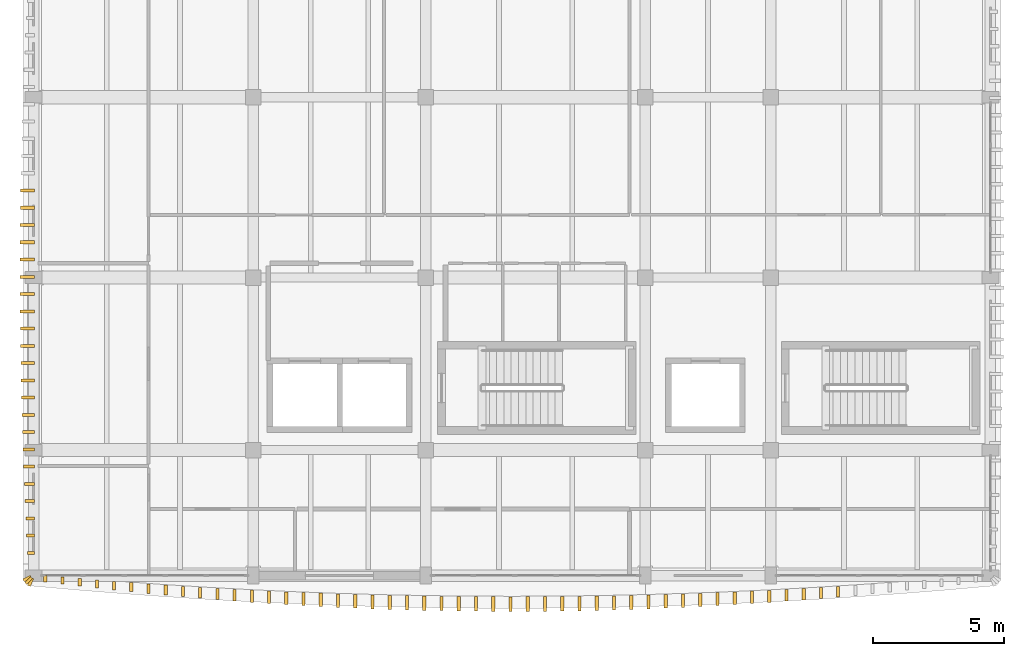
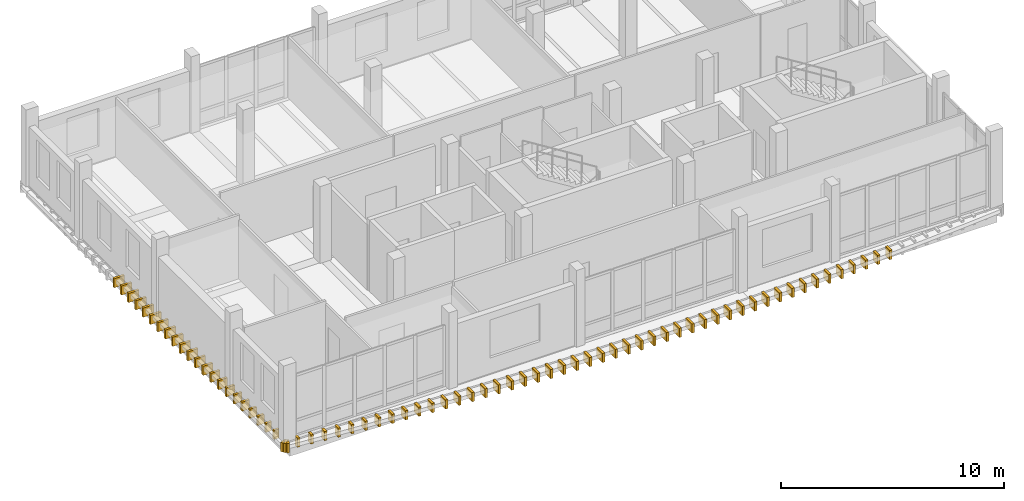
# One storey, part 14 of 16: 72 coverings.
"""IFC4 building model written with IfcOpenShell, lengths in metres."""

import ifcopenshell
import ifcopenshell.guid

model = None  # the IFC model being written
_history = None  # IfcOwnerHistory: only IFC2X3 demands one
_inside = {}  # id of a spatial element -> (the spatial element, [elements in it])
_under = {}  # id of a project, library or spatial element -> (it, [spatial elements below it])
_declared = {}  # id of a project -> (the project, [libraries it declares])
_typed = {}  # id of a type object -> (the type object, [elements of that type])
_made_of = {}  # id of a material, layer set ... -> (it, [elements and type objects made of it])


def new_model(schema):
    """Start an empty IFC model of exactly this schema.

    Asked for "IFC4X3", IfcOpenShell would pick the latest addendum, in which some entities
    have other attributes; the version numbers below select the first issue.
    IFC2X3 requires an IfcOwnerHistory on every rooted entity: one is made here for all.
    """
    global model, _history
    if schema == "IFC4X3":
        model = ifcopenshell.file(schema_version=(4, 3, 0, 0))
    else:
        model = ifcopenshell.file(schema=schema)
    _inside.clear()
    _under.clear()
    _declared.clear()
    _typed.clear()
    _made_of.clear()
    _history = None
    if model.schema == "IFC2X3":
        org = make("IfcOrganization", Name="unknown")
        user = make(
            "IfcPersonAndOrganization",
            ThePerson=make("IfcPerson", FamilyName="unknown"),
            TheOrganization=org,
        )
        app = make(
            "IfcApplication",
            ApplicationDeveloper=org,
            Version="unknown",
            ApplicationFullName="unknown",
            ApplicationIdentifier="unknown",
        )
        _history = make(
            "IfcOwnerHistory",
            OwningUser=user,
            OwningApplication=app,
            ChangeAction="ADDED",
            CreationDate=0,
        )
    return model


def make(cls, **values):
    """One entity of the class cls with the attributes given. An attribute that is None is left unset."""
    return model.create_entity(
        cls, **{name: value for name, value in values.items() if value is not None}
    )


def rooted(cls, **values):
    """An entity with a GlobalId (a new one), such as an element, a storey or a relation."""
    return make(cls, GlobalId=ifcopenshell.guid.new(), OwnerHistory=_history, **values)


def si_unit(unit_type, name, prefix=None):
    """IfcSIUnit, for example si_unit("LENGTHUNIT", "METRE", prefix="MILLI")."""
    return make("IfcSIUnit", UnitType=unit_type, Prefix=prefix, Name=name)


def assignment(units):
    """IfcUnitAssignment: the units of a project."""
    return None if units is None else make("IfcUnitAssignment", Units=units)


def point(xyz):
    """IfcCartesianPoint."""
    return None if xyz is None else make("IfcCartesianPoint", Coordinates=xyz)


def direction(xyz):
    """IfcDirection."""
    return None if xyz is None else make("IfcDirection", DirectionRatios=xyz)


def frame(location, z_axis=None, x_axis=None):
    """IfcAxis2Placement3D, a coordinate frame: its origin and axes. An axis left out is left unset."""
    return make(
        "IfcAxis2Placement3D",
        Location=point(location),
        Axis=direction(z_axis),
        RefDirection=direction(x_axis),
    )


def frame_2d(location, x_axis=None):
    """IfcAxis2Placement2D, a coordinate frame in the plane: its origin and x axis."""
    return make(
        "IfcAxis2Placement2D", Location=point(location), RefDirection=direction(x_axis)
    )


def origin():
    """The frame at (0, 0, 0) with its axes left unset."""
    return frame((0.0, 0.0, 0.0))


def origin_2d():
    """The frame at (0, 0) in the plane with its x axis left unset."""
    return frame_2d((0.0, 0.0))


def place(relative_to, where):
    """IfcLocalPlacement: puts the frame where relative to a parent placement (None: the world)."""
    return make(
        "IfcLocalPlacement", PlacementRelTo=relative_to, RelativePlacement=where
    )


def context(
    kind, dimensions, precision=None, world=None, true_north=None, identifier=None
):
    """IfcGeometricRepresentationContext, for example the 3D "Model" context."""
    return make(
        "IfcGeometricRepresentationContext",
        ContextIdentifier=identifier,
        ContextType=kind,
        CoordinateSpaceDimension=dimensions,
        Precision=precision,
        WorldCoordinateSystem=world,
        TrueNorth=true_north,
    )


def subcontext(parent, identifier, kind, view, scale=None):
    """IfcGeometricRepresentationSubContext, for example "Body" below "Model"."""
    return make(
        "IfcGeometricRepresentationSubContext",
        ContextIdentifier=identifier,
        ContextType=kind,
        ParentContext=parent,
        TargetScale=scale,
        TargetView=view,
    )


def project(units=None, contexts=None):
    """IfcProject with its units and contexts."""
    return rooted(
        "IfcProject",
        Name="project",
        RepresentationContexts=contexts,
        UnitsInContext=assignment(units),
    )


def spatial(cls, under=None, at=None, **own):
    """A site, building, storey or space (cls), placed at a placement, below another one or the project."""
    s = rooted(cls, ObjectPlacement=at, **own)
    if under is not None:
        _under.setdefault(under.id(), (under, []))[1].append(s)
    return s


def profile(cls, at=None, kind="AREA", **sizes):
    """A parametric profile (cls). Its sizes go by their IFC names, for example OverallWidth=200.0."""
    return make(cls, ProfileType=kind, Position=at, **sizes)


def rectangle(**sizes):
    """IfcRectangleProfileDef."""
    return profile("IfcRectangleProfileDef", **sizes)


def extrude(swept, where, along, depth):
    """IfcExtrudedAreaSolid: the profile swept, set in the frame where, extruded along a direction by depth."""
    return make(
        "IfcExtrudedAreaSolid",
        SweptArea=swept,
        Position=where,
        ExtrudedDirection=direction(along),
        Depth=depth,
    )


def shape(context_of_items, identifier, shape_type, items):
    """IfcShapeRepresentation: the items that make up one representation, for example the "Body"."""
    return make(
        "IfcShapeRepresentation",
        ContextOfItems=context_of_items,
        RepresentationIdentifier=identifier,
        RepresentationType=shape_type,
        Items=items,
    )


def material(Name=None, Category=None):
    """IfcMaterial."""
    return make("IfcMaterial", Name=Name, Category=Category)


def layer(
    of_material, thickness, ventilated=None, Name=None, Category=None, Priority=None
):
    """IfcMaterialLayer: one layer of a wall or slab, of a material (None: an air gap)."""
    return make(
        "IfcMaterialLayer",
        Material=of_material,
        LayerThickness=thickness,
        IsVentilated=ventilated,
        Name=Name,
        Category=Category,
        Priority=Priority,
    )


def layer_set(layers, Name=None):
    """IfcMaterialLayerSet."""
    return make("IfcMaterialLayerSet", MaterialLayers=layers, LayerSetName=Name)


def made_of(thing, what):
    """Note that an element or type object is made of a material, layer set ...; save() writes the relation."""
    if what is not None:
        _made_of.setdefault(what.id(), (what, []))[1].append(thing)
    return thing


def type_object(cls, material=None, **own):
    """A type object (cls), such as IfcWallType, which elements share."""
    return made_of(rooted(cls, **own), material)


def element(
    cls,
    number,
    at=None,
    inside=None,
    cuts=None,
    type_object=None,
    material=None,
    context=None,
    identifier="Body",
    shape_type=None,
    held_by="IfcProductDefinitionShape",
    body=None,
    shapes=None,
    **own,
):
    """One element of the class cls, such as IfcWall. Its Tag is "e" and its number.

    at: its placement. inside: the storey or other place that contains it. cuts: it is an
    opening in that element (IfcRelVoidsElement). A single representation is given by context,
    identifier, shape_type and body (its items); several are given by shapes. held_by: the class
    of the entity that holds the representations. save() writes the other relations.
    """
    e = rooted(cls, Tag="e%d" % number, ObjectPlacement=at, **own)
    if body is not None:
        shapes = [shape(context, identifier, shape_type, body)]
    if shapes is not None:
        e.Representation = make(held_by, Representations=shapes)
    if inside is not None:
        _inside.setdefault(inside.id(), (inside, []))[1].append(e)
    if cuts is not None:
        rooted(
            "IfcRelVoidsElement", RelatingBuildingElement=cuts, RelatedOpeningElement=e
        )
    if type_object is not None:
        _typed.setdefault(type_object.id(), (type_object, []))[1].append(e)
    return made_of(e, material)


def aggregate(whole, parts):
    """IfcRelAggregates: a whole, such as a stair, and the parts it consists of."""
    return rooted("IfcRelAggregates", RelatingObject=whole, RelatedObjects=parts)


def save(model, path):
    """Write the relations noted so far, then the file.

    IfcRelAggregates (storeys below a building ...), IfcRelContainedInSpatialStructure (elements
    in a storey), IfcRelDefinesByType, IfcRelAssociatesMaterial and IfcRelDeclares: one each for
    every whole, place, type object, material and project.
    """
    for whole, parts in _under.values():
        aggregate(whole, parts)
    for where, things in _inside.values():
        rooted(
            "IfcRelContainedInSpatialStructure",
            RelatedElements=things,
            RelatingStructure=where,
        )
    for kind, things in _typed.values():
        rooted("IfcRelDefinesByType", RelatedObjects=things, RelatingType=kind)
    for what, things in _made_of.values():
        rooted("IfcRelAssociatesMaterial", RelatedObjects=things, RelatingMaterial=what)
    for by, libraries in _declared.values():
        rooted("IfcRelDeclares", RelatingContext=by, RelatedDefinitions=libraries)
    model.write(path)


model = new_model("IFC4")

# Units and contexts
model_context = context("Model", 3, precision=1e-05, world=origin(), true_north=direction((0.0, 1.0)))
body_context = subcontext(model_context, "Body", "Model", "MODEL_VIEW")
ifc_project = project(units=[si_unit("LENGTHUNIT", "METRE"), si_unit("AREAUNIT", "SQUARE_METRE"), si_unit("VOLUMEUNIT", "CUBIC_METRE"), si_unit("PLANEANGLEUNIT", "RADIAN"), si_unit("MASSUNIT", "GRAM", prefix="KILO")], contexts=[model_context])

# Site, building, storey
site_placement = place(None, origin())
site = spatial("IfcSite", under=ifc_project, at=site_placement, CompositionType="ELEMENT")
building_placement = place(site_placement, origin())
building = spatial("IfcBuilding", under=site, at=building_placement, Name="Dornvale Research Institute", CompositionType="ELEMENT")
storey_placement = place(building_placement, frame((0.0, 0.0, 38.39990234375)))
storey = spatial("IfcBuildingStorey", under=building, at=storey_placement, Name="L08", CompositionType="ELEMENT", Elevation=38.39990234375)

# Coverings
ifc_material = material(Name="Polychrome Glazed Terracotta Visor Rib Ceramic", Category="masonry")
ifc_layer = layer(ifc_material, 0.1201171875)
ifc_layer_set = layer_set([ifc_layer], Name="Polychrome Glazed Terracotta Visor Rib Ceramic")
covering_type = type_object("IfcCoveringType", Name="Covering_VisorBlade_Main", PredefinedType="CLADDING", material=ifc_layer_set)
covering_1_placement = place(storey_placement, frame((5.248291015625, 98.88232421875, -0.489990234375), z_axis=(0.0, 0.0, 1.0), x_axis=(0.0, 1.0, 0.0)))
element("IfcCovering", 1, at=covering_1_placement, inside=storey, type_object=covering_type, Name="L08 V5 canted glazed terracotta visor blade #1345", PredefinedType="CLADDING", context=body_context, shape_type="SweptSolid", body=[
    extrude(rectangle(XDim=0.236083984375, YDim=0.1201171875, at=origin_2d()), origin(), (0.0, 0.0, 1.0), 0.5),
])
covering_2_placement = place(storey_placement, frame((5.90576171875, 98.81201171875, -0.489990234375), z_axis=(0.0, 0.0, 1.0), x_axis=(0.0, 1.0, 0.0)))
element("IfcCovering", 2, at=covering_2_placement, inside=storey, type_object=covering_type, Name="L08 V5 canted glazed terracotta visor blade #1346", PredefinedType="CLADDING", context=body_context, shape_type="SweptSolid", body=[
    extrude(rectangle(XDim=0.260009765625, YDim=0.1201171875, at=origin_2d()), origin(), (0.0, 0.0, 1.0), 0.5),
])
covering_3_placement = place(storey_placement, frame((6.563232421875, 98.742919921875, -0.489990234375), z_axis=(0.0, 0.0, 1.0), x_axis=(0.0, 1.0, 0.0)))
element("IfcCovering", 3, at=covering_3_placement, inside=storey, type_object=covering_type, Name="L08 V5 canted glazed terracotta visor blade #1347", PredefinedType="CLADDING", context=body_context, shape_type="SweptSolid", body=[
    extrude(rectangle(XDim=0.282958984375, YDim=0.1201171875, at=origin_2d()), origin(), (0.0, 0.0, 1.0), 0.5),
])
covering_4_placement = place(storey_placement, frame((7.220947265625, 98.6796875, -0.489990234375), z_axis=(0.0, 0.0, 1.0), x_axis=(0.0, 1.0, 0.0)))
element("IfcCovering", 4, at=covering_4_placement, inside=storey, type_object=covering_type, Name="L08 V5 canted glazed terracotta visor blade #1348", PredefinedType="CLADDING", context=body_context, shape_type="SweptSolid", body=[
    extrude(rectangle(XDim=0.303955078125, YDim=0.1201171875, at=origin_2d()), origin(), (0.0, 0.0, 1.0), 0.5),
])
covering_5_placement = place(storey_placement, frame((7.87890625, 98.616455078125, -0.489990234375), z_axis=(0.0, 0.0, 1.0), x_axis=(0.0, 1.0, 0.0)))
element("IfcCovering", 5, at=covering_5_placement, inside=storey, type_object=covering_type, Name="L08 V5 canted glazed terracotta visor blade #1349", PredefinedType="CLADDING", context=body_context, shape_type="SweptSolid", body=[
    extrude(rectangle(XDim=0.324951171875, YDim=0.1201171875, at=origin_2d()), origin(), (0.0, 0.0, 1.0), 0.5),
])
covering_6_placement = place(storey_placement, frame((8.537109375, 98.55712890625, -0.489990234375), z_axis=(0.0, 0.0, 1.0), x_axis=(0.0, 1.0, 0.0)))
element("IfcCovering", 6, at=covering_6_placement, inside=storey, type_object=covering_type, Name="L08 V5 canted glazed terracotta visor blade #1350", PredefinedType="CLADDING", context=body_context, shape_type="SweptSolid", body=[
    extrude(rectangle(XDim=0.344970703125, YDim=0.1201171875, at=origin_2d()), origin(), (0.0, 0.0, 1.0), 0.5),
])
covering_7_placement = place(storey_placement, frame((9.1953125, 98.500244140625, -0.489990234375), z_axis=(0.0, 0.0, 1.0), x_axis=(0.0, 1.0, 0.0)))
element("IfcCovering", 7, at=covering_7_placement, inside=storey, type_object=covering_type, Name="L08 V5 canted glazed terracotta visor blade #1351", PredefinedType="CLADDING", context=body_context, shape_type="SweptSolid", body=[
    extrude(rectangle(XDim=0.364013671875, YDim=0.1201171875, at=origin_2d()), origin(), (0.0, 0.0, 1.0), 0.5),
])
covering_8_placement = place(storey_placement, frame((9.853759765625, 98.444580078125, -0.489990234375), z_axis=(0.0, 0.0, 1.0), x_axis=(0.0, 1.0, 0.0)))
element("IfcCovering", 8, at=covering_8_placement, inside=storey, type_object=covering_type, Name="L08 V5 canted glazed terracotta visor blade #1352", PredefinedType="CLADDING", context=body_context, shape_type="SweptSolid", body=[
    extrude(rectangle(XDim=0.382080078125, YDim=0.1201171875, at=origin_2d()), origin(), (0.0, 0.0, 1.0), 0.5),
])
covering_9_placement = place(storey_placement, frame((10.512451171875, 98.394287109375, -0.489990234375), z_axis=(0.0, 0.0, 1.0), x_axis=(0.0, 1.0, 0.0)))
element("IfcCovering", 9, at=covering_9_placement, inside=storey, type_object=covering_type, Name="L08 V5 canted glazed terracotta visor blade #1353", PredefinedType="CLADDING", context=body_context, shape_type="SweptSolid", body=[
    extrude(rectangle(XDim=0.39892578125, YDim=0.1201171875, at=origin_2d()), origin(), (0.0, 0.0, 1.0), 0.5),
])
covering_10_placement = place(storey_placement, frame((11.171142578125, 98.34423828125, -0.489990234375), z_axis=(0.0, 0.0, 1.0), x_axis=(0.0, 1.0, 0.0)))
element("IfcCovering", 10, at=covering_10_placement, inside=storey, type_object=covering_type, Name="L08 V5 canted glazed terracotta visor blade #1354", PredefinedType="CLADDING", context=body_context, shape_type="SweptSolid", body=[
    extrude(rectangle(XDim=0.416015625, YDim=0.1201171875, at=origin_2d()), origin(), (0.0, 0.0, 1.0), 0.5),
])
covering_11_placement = place(storey_placement, frame((11.829833984375, 98.298095703125, -0.489990234375), z_axis=(0.0, 0.0, 1.0), x_axis=(0.0, 1.0, 0.0)))
element("IfcCovering", 11, at=covering_11_placement, inside=storey, type_object=covering_type, Name="L08 V5 canted glazed terracotta visor blade #1355", PredefinedType="CLADDING", context=body_context, shape_type="SweptSolid", body=[
    extrude(rectangle(XDim=0.430908203125, YDim=0.1201171875, at=origin_2d()), origin(), (0.0, 0.0, 1.0), 0.5),
])
covering_12_placement = place(storey_placement, frame((12.489013671875, 98.25439453125, -0.489990234375), z_axis=(0.0, 0.0, 1.0), x_axis=(0.0, 1.0, 0.0)))
element("IfcCovering", 12, at=covering_12_placement, inside=storey, type_object=covering_type, Name="L08 V5 canted glazed terracotta visor blade #1356", PredefinedType="CLADDING", context=body_context, shape_type="SweptSolid", body=[
    extrude(rectangle(XDim=0.446044921875, YDim=0.1201171875, at=origin_2d()), origin(), (0.0, 0.0, 1.0), 0.5),
])
covering_13_placement = place(storey_placement, frame((13.14794921875, 98.21142578125, -0.489990234375), z_axis=(0.0, 0.0, 1.0), x_axis=(0.0, 1.0, 0.0)))
element("IfcCovering", 13, at=covering_13_placement, inside=storey, type_object=covering_type, Name="L08 V5 canted glazed terracotta visor blade #1357", PredefinedType="CLADDING", context=body_context, shape_type="SweptSolid", body=[
    extrude(rectangle(XDim=0.4599609375, YDim=0.1201171875, at=origin_2d()), origin(), (0.0, 0.0, 1.0), 0.5),
])
covering_14_placement = place(storey_placement, frame((13.807373046875, 98.17431640625, -0.489990234375), z_axis=(0.0, 0.0, 1.0), x_axis=(0.0, 1.0, 0.0)))
element("IfcCovering", 14, at=covering_14_placement, inside=storey, type_object=covering_type, Name="L08 V5 canted glazed terracotta visor blade #1358", PredefinedType="CLADDING", context=body_context, shape_type="SweptSolid", body=[
    extrude(rectangle(XDim=0.472900390625, YDim=0.1201171875, at=origin_2d()), origin(), (0.0, 0.0, 1.0), 0.5),
])
covering_15_placement = place(storey_placement, frame((14.466552734375, 98.13818359375, -0.489990234375), z_axis=(0.0, 0.0, 1.0), x_axis=(0.0, 1.0, 0.0)))
element("IfcCovering", 15, at=covering_15_placement, inside=storey, type_object=covering_type, Name="L08 V5 canted glazed terracotta visor blade #1359", PredefinedType="CLADDING", context=body_context, shape_type="SweptSolid", body=[
    extrude(rectangle(XDim=0.48388671875, YDim=0.1201171875, at=origin_2d()), origin(), (0.0, 0.0, 1.0), 0.5),
])
covering_16_placement = place(storey_placement, frame((15.1259765625, 98.1044921875, -0.489990234375), z_axis=(0.0, 0.0, 1.0), x_axis=(0.0, 1.0, 0.0)))
element("IfcCovering", 16, at=covering_16_placement, inside=storey, type_object=covering_type, Name="L08 V5 canted glazed terracotta visor blade #1360", PredefinedType="CLADDING", context=body_context, shape_type="SweptSolid", body=[
    extrude(rectangle(XDim=0.49609375, YDim=0.1201171875, at=origin_2d()), origin(), (0.0, 0.0, 1.0), 0.5),
])
covering_17_placement = place(storey_placement, frame((15.785400390625, 98.074462890625, -0.489990234375), z_axis=(0.0, 0.0, 1.0), x_axis=(0.0, 1.0, 0.0)))
element("IfcCovering", 17, at=covering_17_placement, inside=storey, type_object=covering_type, Name="L08 V5 canted glazed terracotta visor blade #1361", PredefinedType="CLADDING", context=body_context, shape_type="SweptSolid", body=[
    extrude(rectangle(XDim=0.506103515625, YDim=0.1201171875, at=origin_2d()), origin(), (0.0, 0.0, 1.0), 0.5),
])
covering_18_placement = place(storey_placement, frame((16.445068359375, 98.044921875, -0.489990234375), z_axis=(0.0, 0.0, 1.0), x_axis=(0.0, 1.0, 0.0)))
element("IfcCovering", 18, at=covering_18_placement, inside=storey, type_object=covering_type, Name="L08 V5 canted glazed terracotta visor blade #1362", PredefinedType="CLADDING", context=body_context, shape_type="SweptSolid", body=[
    extrude(rectangle(XDim=0.514892578125, YDim=0.1201171875, at=origin_2d()), origin(), (0.0, 0.0, 1.0), 0.5),
])
covering_19_placement = place(storey_placement, frame((17.104736328125, 98.02099609375, -0.489990234375), z_axis=(0.0, 0.0, 1.0), x_axis=(0.0, 1.0, 0.0)))
element("IfcCovering", 19, at=covering_19_placement, inside=storey, type_object=covering_type, Name="L08 V5 canted glazed terracotta visor blade #1363", PredefinedType="CLADDING", context=body_context, shape_type="SweptSolid", body=[
    extrude(rectangle(XDim=0.52392578125, YDim=0.1201171875, at=origin_2d()), origin(), (0.0, 0.0, 1.0), 0.5),
])
covering_20_placement = place(storey_placement, frame((17.764404296875, 97.997802734375, -0.489990234375), z_axis=(0.0, 0.0, 1.0), x_axis=(0.0, 1.0, 0.0)))
element("IfcCovering", 20, at=covering_20_placement, inside=storey, type_object=covering_type, Name="L08 V5 canted glazed terracotta visor blade #1364", PredefinedType="CLADDING", context=body_context, shape_type="SweptSolid", body=[
    extrude(rectangle(XDim=0.531005859375, YDim=0.1201171875, at=origin_2d()), origin(), (0.0, 0.0, 1.0), 0.5),
])
covering_21_placement = place(storey_placement, frame((18.42431640625, 97.9775390625, -0.489990234375), z_axis=(0.0, 0.0, 1.0), x_axis=(0.0, 1.0, 0.0)))
element("IfcCovering", 21, at=covering_21_placement, inside=storey, type_object=covering_type, Name="L08 V5 canted glazed terracotta visor blade #1365", PredefinedType="CLADDING", context=body_context, shape_type="SweptSolid", body=[
    extrude(rectangle(XDim=0.5380859375, YDim=0.1201171875, at=origin_2d()), origin(), (0.0, 0.0, 1.0), 0.5),
])
covering_22_placement = place(storey_placement, frame((19.083984375, 97.960693359375, -0.489990234375), z_axis=(0.0, 0.0, 1.0), x_axis=(0.0, 1.0, 0.0)))
element("IfcCovering", 22, at=covering_22_placement, inside=storey, type_object=covering_type, Name="L08 V5 canted glazed terracotta visor blade #1366", PredefinedType="CLADDING", context=body_context, shape_type="SweptSolid", body=[
    extrude(rectangle(XDim=0.5439453125, YDim=0.1201171875, at=origin_2d()), origin(), (0.0, 0.0, 1.0), 0.5),
])
covering_23_placement = place(storey_placement, frame((19.743896484375, 97.944091796875, -0.489990234375), z_axis=(0.0, 0.0, 1.0), x_axis=(0.0, 1.0, 0.0)))
element("IfcCovering", 23, at=covering_23_placement, inside=storey, type_object=covering_type, Name="L08 V5 canted glazed terracotta visor blade #1367", PredefinedType="CLADDING", context=body_context, shape_type="SweptSolid", body=[
    extrude(rectangle(XDim=0.549072265625, YDim=0.1201171875, at=origin_2d()), origin(), (0.0, 0.0, 1.0), 0.5),
])
covering_24_placement = place(storey_placement, frame((20.40380859375, 97.93359375, -0.489990234375), z_axis=(0.0, 0.0, 1.0), x_axis=(0.0, 1.0, 0.0)))
element("IfcCovering", 24, at=covering_24_placement, inside=storey, type_object=covering_type, Name="L08 V5 canted glazed terracotta visor blade #1368", PredefinedType="CLADDING", context=body_context, shape_type="SweptSolid", body=[
    extrude(rectangle(XDim=0.552978515625, YDim=0.1201171875, at=origin_2d()), origin(), (0.0, 0.0, 1.0), 0.5),
])
covering_25_placement = place(storey_placement, frame((21.063720703125, 97.923583984375, -0.489990234375), z_axis=(0.0, 0.0, 1.0), x_axis=(0.0, 1.0, 0.0)))
element("IfcCovering", 25, at=covering_25_placement, inside=storey, type_object=covering_type, Name="L08 V5 canted glazed terracotta visor blade #1369", PredefinedType="CLADDING", context=body_context, shape_type="SweptSolid", body=[
    extrude(rectangle(XDim=0.555908203125, YDim=0.1201171875, at=origin_2d()), origin(), (0.0, 0.0, 1.0), 0.5),
])
covering_26_placement = place(storey_placement, frame((21.723876953125, 97.916748046875, -0.489990234375), z_axis=(0.0, 0.0, 1.0), x_axis=(0.0, 1.0, 0.0)))
element("IfcCovering", 26, at=covering_26_placement, inside=storey, type_object=covering_type, Name="L08 V5 canted glazed terracotta visor blade #1370", PredefinedType="CLADDING", context=body_context, shape_type="SweptSolid", body=[
    extrude(rectangle(XDim=0.55810546875, YDim=0.1201171875, at=origin_2d()), origin(), (0.0, 0.0, 1.0), 0.5),
])
covering_27_placement = place(storey_placement, frame((22.3837890625, 97.91357421875, -0.489990234375), z_axis=(0.0, 0.0, 1.0), x_axis=(0.0, 1.0, 0.0)))
element("IfcCovering", 27, at=covering_27_placement, inside=storey, type_object=covering_type, Name="L08 V5 canted glazed terracotta visor blade #1371", PredefinedType="CLADDING", context=body_context, shape_type="SweptSolid", body=[
    extrude(rectangle(XDim=0.55908203125, YDim=0.1201171875, at=origin_2d()), origin(), (0.0, 0.0, 1.0), 0.5),
])
for number, where, z_axis, x_axis, name in (
    (28, (23.043701171875, 97.91015625, -0.489990234375), (0.0, 0.0, 1.0), (0.0, 1.0, 0.0), "L08 V5 canted glazed terracotta visor blade #1372"),
    (29, (23.703857421875, 97.91259765625, -0.489990234375), (0.0, 0.0, 1.0), (0.0, 1.0, 0.0), "L08 V5 canted glazed terracotta visor blade #1373"),
):
    element("IfcCovering", number, at=place(storey_placement, frame(where, z_axis=z_axis, x_axis=x_axis)), inside=storey, type_object=covering_type, Name=name, PredefinedType="CLADDING", context=body_context, shape_type="SweptSolid", body=[
        extrude(rectangle(XDim=0.56005859375, YDim=0.1201171875, at=origin_2d()), origin(), (0.0, 0.0, 1.0), 0.5),
    ])
covering_28_placement = place(storey_placement, frame((24.36376953125, 97.916259765625, -0.489990234375), z_axis=(0.0, 0.0, 1.0), x_axis=(0.0, 1.0, 0.0)))
element("IfcCovering", 30, at=covering_28_placement, inside=storey, type_object=covering_type, Name="L08 V5 canted glazed terracotta visor blade #1374", PredefinedType="CLADDING", context=body_context, shape_type="SweptSolid", body=[
    extrude(rectangle(XDim=0.55810546875, YDim=0.1201171875, at=origin_2d()), origin(), (0.0, 0.0, 1.0), 0.5),
])
covering_29_placement = place(storey_placement, frame((25.023681640625, 97.92236328125, -0.489990234375), z_axis=(0.0, 0.0, 1.0), x_axis=(0.0, 1.0, 0.0)))
element("IfcCovering", 31, at=covering_29_placement, inside=storey, type_object=covering_type, Name="L08 V5 canted glazed terracotta visor blade #1375", PredefinedType="CLADDING", context=body_context, shape_type="SweptSolid", body=[
    extrude(rectangle(XDim=0.555908203125, YDim=0.1201171875, at=origin_2d()), origin(), (0.0, 0.0, 1.0), 0.5),
])
covering_30_placement = place(storey_placement, frame((25.68359375, 97.93212890625, -0.489990234375), z_axis=(0.0, 0.0, 1.0), x_axis=(0.0, 1.0, 0.0)))
element("IfcCovering", 32, at=covering_30_placement, inside=storey, type_object=covering_type, Name="L08 V5 canted glazed terracotta visor blade #1376", PredefinedType="CLADDING", context=body_context, shape_type="SweptSolid", body=[
    extrude(rectangle(XDim=0.552978515625, YDim=0.1201171875, at=origin_2d()), origin(), (0.0, 0.0, 1.0), 0.5),
])
covering_31_placement = place(storey_placement, frame((26.343505859375, 97.9423828125, -0.489990234375), z_axis=(0.0, 0.0, 1.0), x_axis=(0.0, 1.0, 0.0)))
element("IfcCovering", 33, at=covering_31_placement, inside=storey, type_object=covering_type, Name="L08 V5 canted glazed terracotta visor blade #1377", PredefinedType="CLADDING", context=body_context, shape_type="SweptSolid", body=[
    extrude(rectangle(XDim=0.549072265625, YDim=0.1201171875, at=origin_2d()), origin(), (0.0, 0.0, 1.0), 0.5),
])
covering_32_placement = place(storey_placement, frame((27.00341796875, 97.957763671875, -0.489990234375), z_axis=(0.0, 0.0, 1.0), x_axis=(0.0, 1.0, 0.0)))
element("IfcCovering", 34, at=covering_32_placement, inside=storey, type_object=covering_type, Name="L08 V5 canted glazed terracotta visor blade #1378", PredefinedType="CLADDING", context=body_context, shape_type="SweptSolid", body=[
    extrude(rectangle(XDim=0.544921875, YDim=0.1201171875, at=origin_2d()), origin(), (0.0, 0.0, 1.0), 0.5),
])
covering_33_placement = place(storey_placement, frame((27.663330078125, 97.974609375, -0.489990234375), z_axis=(0.0, 0.0, 1.0), x_axis=(0.0, 1.0, 0.0)))
element("IfcCovering", 35, at=covering_33_placement, inside=storey, type_object=covering_type, Name="L08 V5 canted glazed terracotta visor blade #1379", PredefinedType="CLADDING", context=body_context, shape_type="SweptSolid", body=[
    extrude(rectangle(XDim=0.5390625, YDim=0.1201171875, at=origin_2d()), origin(), (0.0, 0.0, 1.0), 0.5),
])
covering_34_placement = place(storey_placement, frame((28.322998046875, 97.994140625, -0.489990234375), z_axis=(0.0, 0.0, 1.0), x_axis=(0.0, 1.0, 0.0)))
element("IfcCovering", 36, at=covering_34_placement, inside=storey, type_object=covering_type, Name="L08 V5 canted glazed terracotta visor blade #1380", PredefinedType="CLADDING", context=body_context, shape_type="SweptSolid", body=[
    extrude(rectangle(XDim=0.531982421875, YDim=0.1201171875, at=origin_2d()), origin(), (0.0, 0.0, 1.0), 0.5),
])
covering_35_placement = place(storey_placement, frame((28.98291015625, 98.01708984375, -0.489990234375), z_axis=(0.0, 0.0, 1.0), x_axis=(0.0, 1.0, 0.0)))
element("IfcCovering", 37, at=covering_35_placement, inside=storey, type_object=covering_type, Name="L08 V5 canted glazed terracotta visor blade #1381", PredefinedType="CLADDING", context=body_context, shape_type="SweptSolid", body=[
    extrude(rectangle(XDim=0.52490234375, YDim=0.1201171875, at=origin_2d()), origin(), (0.0, 0.0, 1.0), 0.5),
])
covering_36_placement = place(storey_placement, frame((29.642578125, 98.04052734375, -0.489990234375), z_axis=(0.0, 0.0, 1.0), x_axis=(0.0, 1.0, 0.0)))
element("IfcCovering", 38, at=covering_36_placement, inside=storey, type_object=covering_type, Name="L08 V5 canted glazed terracotta visor blade #1382", PredefinedType="CLADDING", context=body_context, shape_type="SweptSolid", body=[
    extrude(rectangle(XDim=0.51708984375, YDim=0.1201171875, at=origin_2d()), origin(), (0.0, 0.0, 1.0), 0.5),
])
covering_37_placement = place(storey_placement, frame((30.302001953125, 98.069580078125, -0.489990234375), z_axis=(0.0, 0.0, 1.0), x_axis=(0.0, 1.0, 0.0)))
element("IfcCovering", 39, at=covering_37_placement, inside=storey, type_object=covering_type, Name="L08 V5 canted glazed terracotta visor blade #1383", PredefinedType="CLADDING", context=body_context, shape_type="SweptSolid", body=[
    extrude(rectangle(XDim=0.507080078125, YDim=0.1201171875, at=origin_2d()), origin(), (0.0, 0.0, 1.0), 0.5),
])
covering_38_placement = place(storey_placement, frame((30.961669921875, 98.099853515625, -0.489990234375), z_axis=(0.0, 0.0, 1.0), x_axis=(0.0, 1.0, 0.0)))
element("IfcCovering", 40, at=covering_38_placement, inside=storey, type_object=covering_type, Name="L08 V5 canted glazed terracotta visor blade #1384", PredefinedType="CLADDING", context=body_context, shape_type="SweptSolid", body=[
    extrude(rectangle(XDim=0.4970703125, YDim=0.1201171875, at=origin_2d()), origin(), (0.0, 0.0, 1.0), 0.5),
])
covering_39_placement = place(storey_placement, frame((31.62109375, 98.132080078125, -0.489990234375), z_axis=(0.0, 0.0, 1.0), x_axis=(0.0, 1.0, 0.0)))
element("IfcCovering", 41, at=covering_39_placement, inside=storey, type_object=covering_type, Name="L08 V5 canted glazed terracotta visor blade #1385", PredefinedType="CLADDING", context=body_context, shape_type="SweptSolid", body=[
    extrude(rectangle(XDim=0.486083984375, YDim=0.1201171875, at=origin_2d()), origin(), (0.0, 0.0, 1.0), 0.5),
])
covering_40_placement = place(storey_placement, frame((32.280517578125, 98.168212890625, -0.489990234375), z_axis=(0.0, 0.0, 1.0), x_axis=(0.0, 1.0, 0.0)))
element("IfcCovering", 42, at=covering_40_placement, inside=storey, type_object=covering_type, Name="L08 V5 canted glazed terracotta visor blade #1386", PredefinedType="CLADDING", context=body_context, shape_type="SweptSolid", body=[
    extrude(rectangle(XDim=0.47509765625, YDim=0.1201171875, at=origin_2d()), origin(), (0.0, 0.0, 1.0), 0.5),
])
covering_41_placement = place(storey_placement, frame((32.939697265625, 98.205322265625, -0.489990234375), z_axis=(0.0, 0.0, 1.0), x_axis=(0.0, 1.0, 0.0)))
element("IfcCovering", 43, at=covering_41_placement, inside=storey, type_object=covering_type, Name="L08 V5 canted glazed terracotta visor blade #1387", PredefinedType="CLADDING", context=body_context, shape_type="SweptSolid", body=[
    extrude(rectangle(XDim=0.4619140625, YDim=0.1201171875, at=origin_2d()), origin(), (0.0, 0.0, 1.0), 0.5),
])
covering_42_placement = place(storey_placement, frame((33.5986328125, 98.247314453125, -0.489990234375), z_axis=(0.0, 0.0, 1.0), x_axis=(0.0, 1.0, 0.0)))
element("IfcCovering", 44, at=covering_42_placement, inside=storey, type_object=covering_type, Name="L08 V5 canted glazed terracotta visor blade #1388", PredefinedType="CLADDING", context=body_context, shape_type="SweptSolid", body=[
    extrude(rectangle(XDim=0.447998046875, YDim=0.1201171875, at=origin_2d()), origin(), (0.0, 0.0, 1.0), 0.5),
])
covering_43_placement = place(storey_placement, frame((34.2578125, 98.290283203125, -0.489990234375), z_axis=(0.0, 0.0, 1.0), x_axis=(0.0, 1.0, 0.0)))
element("IfcCovering", 45, at=covering_43_placement, inside=storey, type_object=covering_type, Name="L08 V5 canted glazed terracotta visor blade #1389", PredefinedType="CLADDING", context=body_context, shape_type="SweptSolid", body=[
    extrude(rectangle(XDim=0.43408203125, YDim=0.1201171875, at=origin_2d()), origin(), (0.0, 0.0, 1.0), 0.5),
])
covering_44_placement = place(storey_placement, frame((34.916748046875, 98.3359375, -0.489990234375), z_axis=(0.0, 0.0, 1.0), x_axis=(0.0, 1.0, 0.0)))
element("IfcCovering", 46, at=covering_44_placement, inside=storey, type_object=covering_type, Name="L08 V5 canted glazed terracotta visor blade #1390", PredefinedType="CLADDING", context=body_context, shape_type="SweptSolid", body=[
    extrude(rectangle(XDim=0.41796875, YDim=0.1201171875, at=origin_2d()), origin(), (0.0, 0.0, 1.0), 0.5),
])
covering_45_placement = place(storey_placement, frame((35.575439453125, 98.3857421875, -0.489990234375), z_axis=(0.0, 0.0, 1.0), x_axis=(0.0, 1.0, 0.0)))
element("IfcCovering", 47, at=covering_45_placement, inside=storey, type_object=covering_type, Name="L08 V5 canted glazed terracotta visor blade #1391", PredefinedType="CLADDING", context=body_context, shape_type="SweptSolid", body=[
    extrude(rectangle(XDim=0.402099609375, YDim=0.1201171875, at=origin_2d()), origin(), (0.0, 0.0, 1.0), 0.5),
])
covering_46_placement = place(storey_placement, frame((4.572998046875, 113.72998046875, -0.489990234375), z_axis=(0.0, 0.0, 1.0), x_axis=(1.0, 0.0, 0.0)))
element("IfcCovering", 48, at=covering_46_placement, inside=storey, type_object=covering_type, Name="L08 V5 canted glazed terracotta visor blade #1501", PredefinedType="CLADDING", context=body_context, shape_type="SweptSolid", body=[
    extrude(rectangle(XDim=0.533935546875, YDim=0.1201171875, at=origin_2d()), origin(), (0.0, 0.0, 1.0), 0.5),
])
covering_47_placement = place(storey_placement, frame((4.568115234375, 113.070068359375, -0.489990234375), z_axis=(0.0, 0.0, 1.0), x_axis=(1.0, 0.0, 0.0)))
element("IfcCovering", 49, at=covering_47_placement, inside=storey, type_object=covering_type, Name="L08 V5 canted glazed terracotta visor blade #1502", PredefinedType="CLADDING", context=body_context, shape_type="SweptSolid", body=[
    extrude(rectangle(XDim=0.5439453125, YDim=0.1201171875, at=origin_2d()), origin(), (0.0, 0.0, 1.0), 0.5),
])
covering_48_placement = place(storey_placement, frame((4.564453125, 112.409912109375, -0.489990234375), z_axis=(0.0, 0.0, 1.0), x_axis=(1.0, 0.0, 0.0)))
element("IfcCovering", 50, at=covering_48_placement, inside=storey, type_object=covering_type, Name="L08 V5 canted glazed terracotta visor blade #1503", PredefinedType="CLADDING", context=body_context, shape_type="SweptSolid", body=[
    extrude(rectangle(XDim=0.551025390625, YDim=0.1201171875, at=origin_2d()), origin(), (0.0, 0.0, 1.0), 0.5),
])
covering_49_placement = place(storey_placement, frame((4.56201171875, 111.75, -0.489990234375), z_axis=(0.0, 0.0, 1.0), x_axis=(1.0, 0.0, 0.0)))
element("IfcCovering", 51, at=covering_49_placement, inside=storey, type_object=covering_type, Name="L08 V5 canted glazed terracotta visor blade #1504", PredefinedType="CLADDING", context=body_context, shape_type="SweptSolid", body=[
    extrude(rectangle(XDim=0.555908203125, YDim=0.1201171875, at=origin_2d()), origin(), (0.0, 0.0, 1.0), 0.5),
])
covering_50_placement = place(storey_placement, frame((4.560546875, 111.090087890625, -0.489990234375), z_axis=(0.0, 0.0, 1.0), x_axis=(1.0, 0.0, 0.0)))
element("IfcCovering", 52, at=covering_50_placement, inside=storey, type_object=covering_type, Name="L08 V5 canted glazed terracotta visor blade #1505", PredefinedType="CLADDING", context=body_context, shape_type="SweptSolid", body=[
    extrude(rectangle(XDim=0.55908203125, YDim=0.1201171875, at=origin_2d()), origin(), (0.0, 0.0, 1.0), 0.5),
])
covering_51_placement = place(storey_placement, frame((4.56005859375, 110.429931640625, -0.489990234375), z_axis=(0.0, 0.0, 1.0), x_axis=(1.0, 0.0, 0.0)))
element("IfcCovering", 53, at=covering_51_placement, inside=storey, type_object=covering_type, Name="L08 V5 canted glazed terracotta visor blade #1506", PredefinedType="CLADDING", context=body_context, shape_type="SweptSolid", body=[
    extrude(rectangle(XDim=0.56005859375, YDim=0.1201171875, at=origin_2d()), origin(), (0.0, 0.0, 1.0), 0.5),
])
covering_52_placement = place(storey_placement, frame((4.56103515625, 109.77001953125, -0.489990234375), z_axis=(0.0, 0.0, 1.0), x_axis=(1.0, 0.0, 0.0)))
element("IfcCovering", 54, at=covering_52_placement, inside=storey, type_object=covering_type, Name="L08 V5 canted glazed terracotta visor blade #1507", PredefinedType="CLADDING", context=body_context, shape_type="SweptSolid", body=[
    extrude(rectangle(XDim=0.55810546875, YDim=0.1201171875, at=origin_2d()), origin(), (0.0, 0.0, 1.0), 0.5),
])
covering_53_placement = place(storey_placement, frame((4.5625, 109.110107421875, -0.489990234375), z_axis=(0.0, 0.0, 1.0), x_axis=(1.0, 0.0, 0.0)))
element("IfcCovering", 55, at=covering_53_placement, inside=storey, type_object=covering_type, Name="L08 V5 canted glazed terracotta visor blade #1508", PredefinedType="CLADDING", context=body_context, shape_type="SweptSolid", body=[
    extrude(rectangle(XDim=0.554931640625, YDim=0.1201171875, at=origin_2d()), origin(), (0.0, 0.0, 1.0), 0.5),
])
covering_54_placement = place(storey_placement, frame((4.5654296875, 108.449951171875, -0.489990234375), z_axis=(0.0, 0.0, 1.0), x_axis=(1.0, 0.0, 0.0)))
element("IfcCovering", 56, at=covering_54_placement, inside=storey, type_object=covering_type, Name="L08 V5 canted glazed terracotta visor blade #1509", PredefinedType="CLADDING", context=body_context, shape_type="SweptSolid", body=[
    extrude(rectangle(XDim=0.549072265625, YDim=0.1201171875, at=origin_2d()), origin(), (0.0, 0.0, 1.0), 0.5),
])
covering_55_placement = place(storey_placement, frame((4.569580078125, 107.7900390625, -0.489990234375), z_axis=(0.0, 0.0, 1.0), x_axis=(1.0, 0.0, 0.0)))
element("IfcCovering", 57, at=covering_55_placement, inside=storey, type_object=covering_type, Name="L08 V5 canted glazed terracotta visor blade #1510", PredefinedType="CLADDING", context=body_context, shape_type="SweptSolid", body=[
    extrude(rectangle(XDim=0.541015625, YDim=0.1201171875, at=origin_2d()), origin(), (0.0, 0.0, 1.0), 0.5),
])
covering_56_placement = place(storey_placement, frame((4.574951171875, 107.1298828125, -0.489990234375), z_axis=(0.0, 0.0, 1.0), x_axis=(1.0, 0.0, 0.0)))
element("IfcCovering", 58, at=covering_56_placement, inside=storey, type_object=covering_type, Name="L08 V5 canted glazed terracotta visor blade #1511", PredefinedType="CLADDING", context=body_context, shape_type="SweptSolid", body=[
    extrude(rectangle(XDim=0.530029296875, YDim=0.1201171875, at=origin_2d()), origin(), (0.0, 0.0, 1.0), 0.5),
])
covering_57_placement = place(storey_placement, frame((4.5810546875, 106.469970703125, -0.489990234375), z_axis=(0.0, 0.0, 1.0), x_axis=(1.0, 0.0, 0.0)))
element("IfcCovering", 59, at=covering_57_placement, inside=storey, type_object=covering_type, Name="L08 V5 canted glazed terracotta visor blade #1512", PredefinedType="CLADDING", context=body_context, shape_type="SweptSolid", body=[
    extrude(rectangle(XDim=0.51806640625, YDim=0.1201171875, at=origin_2d()), origin(), (0.0, 0.0, 1.0), 0.5),
])
covering_58_placement = place(storey_placement, frame((4.58837890625, 105.81005859375, -0.489990234375), z_axis=(0.0, 0.0, 1.0), x_axis=(1.0, 0.0, 0.0)))
element("IfcCovering", 60, at=covering_58_placement, inside=storey, type_object=covering_type, Name="L08 V5 canted glazed terracotta visor blade #1513", PredefinedType="CLADDING", context=body_context, shape_type="SweptSolid", body=[
    extrude(rectangle(XDim=0.5029296875, YDim=0.1201171875, at=origin_2d()), origin(), (0.0, 0.0, 1.0), 0.5),
])
covering_59_placement = place(storey_placement, frame((4.596923828125, 105.14990234375, -0.489990234375), z_axis=(0.0, 0.0, 1.0), x_axis=(1.0, 0.0, 0.0)))
element("IfcCovering", 61, at=covering_59_placement, inside=storey, type_object=covering_type, Name="L08 V5 canted glazed terracotta visor blade #1514", PredefinedType="CLADDING", context=body_context, shape_type="SweptSolid", body=[
    extrude(rectangle(XDim=0.486083984375, YDim=0.1201171875, at=origin_2d()), origin(), (0.0, 0.0, 1.0), 0.5),
])
covering_60_placement = place(storey_placement, frame((4.60693359375, 104.489990234375, -0.489990234375), z_axis=(0.0, 0.0, 1.0), x_axis=(1.0, 0.0, 0.0)))
element("IfcCovering", 62, at=covering_60_placement, inside=storey, type_object=covering_type, Name="L08 V5 canted glazed terracotta visor blade #1515", PredefinedType="CLADDING", context=body_context, shape_type="SweptSolid", body=[
    extrude(rectangle(XDim=0.466064453125, YDim=0.1201171875, at=origin_2d()), origin(), (0.0, 0.0, 1.0), 0.5),
])
covering_61_placement = place(storey_placement, frame((4.617431640625, 103.830078125, -0.489990234375), z_axis=(0.0, 0.0, 1.0), x_axis=(1.0, 0.0, 0.0)))
element("IfcCovering", 63, at=covering_61_placement, inside=storey, type_object=covering_type, Name="L08 V5 canted glazed terracotta visor blade #1516", PredefinedType="CLADDING", context=body_context, shape_type="SweptSolid", body=[
    extrude(rectangle(XDim=0.445068359375, YDim=0.1201171875, at=origin_2d()), origin(), (0.0, 0.0, 1.0), 0.5),
])
covering_62_placement = place(storey_placement, frame((4.62939453125, 103.169921875, -0.489990234375), z_axis=(0.0, 0.0, 1.0), x_axis=(1.0, 0.0, 0.0)))
element("IfcCovering", 64, at=covering_62_placement, inside=storey, type_object=covering_type, Name="L08 V5 canted glazed terracotta visor blade #1517", PredefinedType="CLADDING", context=body_context, shape_type="SweptSolid", body=[
    extrude(rectangle(XDim=0.4208984375, YDim=0.1201171875, at=origin_2d()), origin(), (0.0, 0.0, 1.0), 0.5),
])
covering_63_placement = place(storey_placement, frame((4.642578125, 102.510009765625, -0.489990234375), z_axis=(0.0, 0.0, 1.0), x_axis=(1.0, 0.0, 0.0)))
element("IfcCovering", 65, at=covering_63_placement, inside=storey, type_object=covering_type, Name="L08 V5 canted glazed terracotta visor blade #1518", PredefinedType="CLADDING", context=body_context, shape_type="SweptSolid", body=[
    extrude(rectangle(XDim=0.39501953125, YDim=0.1201171875, at=origin_2d()), origin(), (0.0, 0.0, 1.0), 0.5),
])
covering_64_placement = place(storey_placement, frame((4.656494140625, 101.85009765625, -0.489990234375), z_axis=(0.0, 0.0, 1.0), x_axis=(1.0, 0.0, 0.0)))
element("IfcCovering", 66, at=covering_64_placement, inside=storey, type_object=covering_type, Name="L08 V5 canted glazed terracotta visor blade #1519", PredefinedType="CLADDING", context=body_context, shape_type="SweptSolid", body=[
    extrude(rectangle(XDim=0.366943359375, YDim=0.1201171875, at=origin_2d()), origin(), (0.0, 0.0, 1.0), 0.5),
])
covering_65_placement = place(storey_placement, frame((4.67138671875, 101.18994140625, -0.489990234375), z_axis=(0.0, 0.0, 1.0), x_axis=(1.0, 0.0, 0.0)))
element("IfcCovering", 67, at=covering_65_placement, inside=storey, type_object=covering_type, Name="L08 V5 canted glazed terracotta visor blade #1520", PredefinedType="CLADDING", context=body_context, shape_type="SweptSolid", body=[
    extrude(rectangle(XDim=0.3369140625, YDim=0.1201171875, at=origin_2d()), origin(), (0.0, 0.0, 1.0), 0.5),
])
covering_66_placement = place(storey_placement, frame((4.68798828125, 100.530029296875, -0.489990234375), z_axis=(0.0, 0.0, 1.0), x_axis=(1.0, 0.0, 0.0)))
element("IfcCovering", 68, at=covering_66_placement, inside=storey, type_object=covering_type, Name="L08 V5 canted glazed terracotta visor blade #1521", PredefinedType="CLADDING", context=body_context, shape_type="SweptSolid", body=[
    extrude(rectangle(XDim=0.303955078125, YDim=0.1201171875, at=origin_2d()), origin(), (0.0, 0.0, 1.0), 0.5),
])
covering_67_placement = place(storey_placement, frame((4.70556640625, 99.8701171875, -0.489990234375), z_axis=(0.0, 0.0, 1.0), x_axis=(1.0, 0.0, 0.0)))
element("IfcCovering", 69, at=covering_67_placement, inside=storey, type_object=covering_type, Name="L08 V5 canted glazed terracotta visor blade #1522", PredefinedType="CLADDING", context=body_context, shape_type="SweptSolid", body=[
    extrude(rectangle(XDim=0.26904296875, YDim=0.1201171875, at=origin_2d()), origin(), (0.0, 0.0, 1.0), 0.5),
])
for number, where, z_axis, x_axis, name in (
    (70, (4.555419921875, 98.885986328125, -0.489990234375), (0.0, 0.0, 1.0), (-0.906307787037, -0.422618261741, 0.0), "L08 V5 corner-wrapping visor blade #1523"),
    (71, (4.609130859375, 98.80908203125, -0.489990234375), (0.0, 0.0, 1.0), (-0.707106781187, -0.707106781187, 0.0), "L08 V5 corner-wrapping visor blade #1524"),
    (72, (4.685791015625, 98.75537109375, -0.489990234375), (0.0, 0.0, 1.0), (-0.422618261741, -0.906307787037, 0.0), "L08 V5 corner-wrapping visor blade #1525"),
):
    element("IfcCovering", number, at=place(storey_placement, frame(where, z_axis=z_axis, x_axis=x_axis)), inside=storey, type_object=covering_type, Name=name, PredefinedType="CLADDING", context=body_context, shape_type="SweptSolid", body=[
        extrude(rectangle(XDim=0.320068359375, YDim=0.1201171875, at=origin_2d()), origin(), (0.0, 0.0, 1.0), 0.5),
    ])

save(model, "model.ifc")
